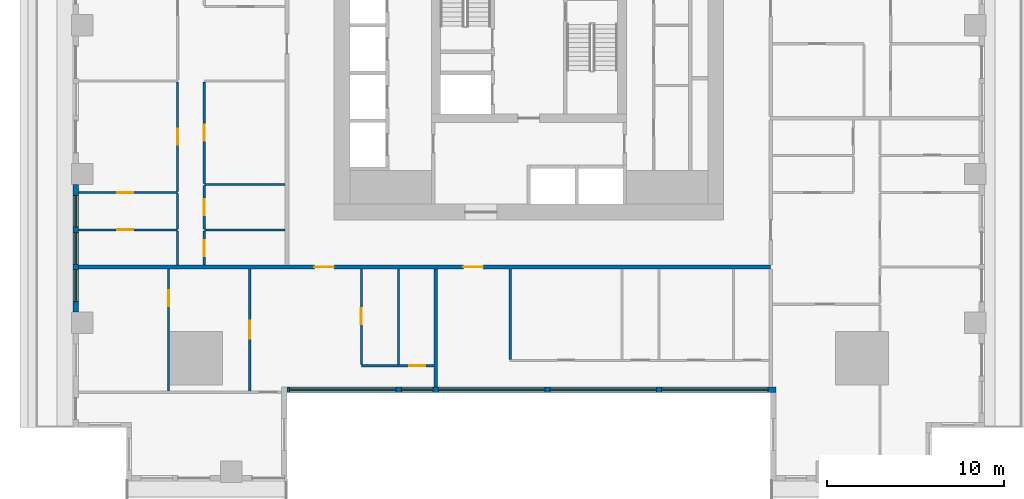
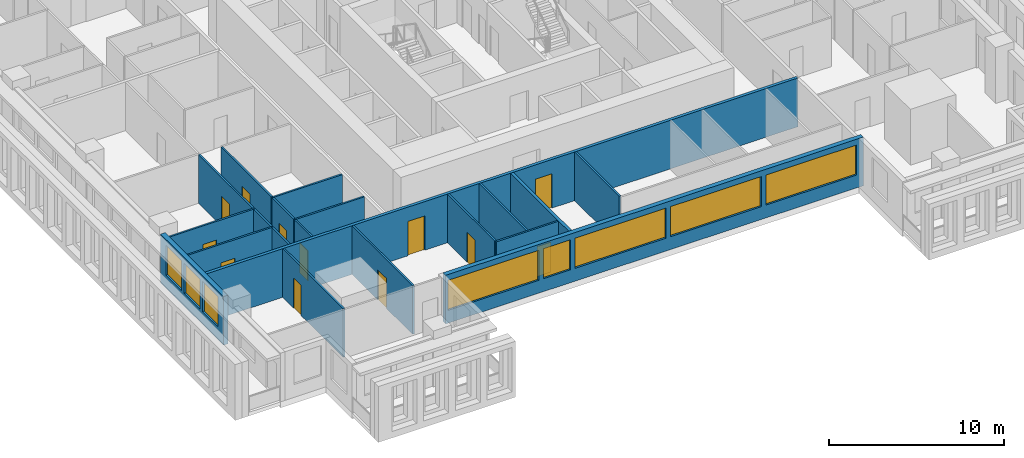
# One storey, part 2 of 14: 20 walls, 12 doors, 8 windows, 20 openings.
"""IFC4 building model written with IfcOpenShell, lengths in metres."""

from ifc_helpers import new_model, si_unit, direction, frame, frame_2d, origin, place, context, subcontext, project, spatial, rectangle, extrude, material, layer, layer_set, type_object, element, fill, save


model = new_model("IFC4")

# Units and contexts
model_context = context("Model", 3, precision=1e-05, world=origin(), true_north=direction((0.0, 1.0)))
body_context = subcontext(model_context, "Body", "Model", "MODEL_VIEW")
ifc_project = project(units=[si_unit("LENGTHUNIT", "METRE"), si_unit("AREAUNIT", "SQUARE_METRE"), si_unit("VOLUMEUNIT", "CUBIC_METRE"), si_unit("PLANEANGLEUNIT", "RADIAN"), si_unit("MASSUNIT", "GRAM", prefix="KILO")], contexts=[model_context])

# Site, building, storey
site_placement = place(None, origin())
site = spatial("IfcSite", under=ifc_project, at=site_placement, CompositionType="ELEMENT")
building_placement = place(site_placement, origin())
building = spatial("IfcBuilding", under=site, at=building_placement, Name="Khepri Terraces", CompositionType="ELEMENT")
storey_placement = place(building_placement, frame((0.0, 0.0, 69.89990234375)))
storey = spatial("IfcBuildingStorey", under=building, at=storey_placement, Name="L16", CompositionType="ELEMENT", Elevation=69.89990234375)

# Wall
ifc_material_1 = material(Name="Fire-rated gypsum plasterboard partition, mineral wool")
ifc_layer_1 = layer(ifc_material_1, 0.199951171875, Name="Fire-rated gypsum plasterboard partition, mineral wool")
ifc_layer_set_1 = layer_set([ifc_layer_1], Name="Fire-rated gypsum plasterboard partition, mineral wool")
wall_type_1 = type_object("IfcWallType", Name="WL-CORR-200", PredefinedType="PARTITIONING", material=ifc_layer_set_1)
wall_1_placement = place(storey_placement, frame((-5.25, -20.419921875, 0.0), z_axis=(0.0, 0.0, 1.0), x_axis=(0.0, 1.0, 0.0)))
element("IfcWall", 1, at=wall_1_placement, inside=storey, type_object=wall_type_1, Name="Partition P-003 L16", PredefinedType="PARTITIONING", context=body_context, shape_type="SweptSolid", body=[
    extrude(rectangle(XDim=6.669921875, YDim=0.199951171875, at=frame_2d((3.3349609375, 0.0))), origin(), (0.0, 0.0, 1.0), 3.400146484375),
])

# Wall, openings, doors
wall_2_placement = place(storey_placement, frame((-25.419921875, -13.64990234375, 0.0), z_axis=(0.0, 0.0, 1.0), x_axis=(1.0, 0.0, 0.0)))
wall_2 = element("IfcWall", 2, at=wall_2_placement, inside=storey, type_object=wall_type_1, Name="Partition P-018 L16", PredefinedType="PARTITIONING", context=body_context, shape_type="SweptSolid", body=[
    extrude(rectangle(XDim=39.06982421875, YDim=0.199951171875, at=frame_2d((19.534912109375, 0.0))), origin(), (0.0, 0.0, 1.0), 3.400146484375),
])
opening_1_placement = place(wall_2_placement, frame((13.320068359375, 0.0, 0.0)))
opening_1 = element("IfcOpeningElement", 3, at=opening_1_placement, cuts=wall_2, Name="Opening D1", PredefinedType="OPENING", context=body_context, shape_type="SweptSolid", body=[
    extrude(rectangle(XDim=1.10009765625, YDim=2.39990234375, at=frame_2d((0.550048828125, 1.199951171875))), frame((0.0, 0.10986328125, 0.0), z_axis=(0.0, -1.0, 0.0), x_axis=(1.0, 0.0, 0.0)), (0.0, 0.0, 1.0), 0.219970703125),
])
opening_2_placement = place(wall_2_placement, frame((21.719970703125, 0.0, 0.0)))
opening_2 = element("IfcOpeningElement", 4, at=opening_2_placement, cuts=wall_2, Name="Opening D1", PredefinedType="OPENING", context=body_context, shape_type="SweptSolid", body=[
    extrude(rectangle(XDim=1.10009765625, YDim=2.39990234375, at=frame_2d((0.550048828125, 1.199951171875))), frame((0.0, 0.10986328125, 0.0), z_axis=(0.0, -1.0, 0.0), x_axis=(1.0, 0.0, 0.0)), (0.0, 0.0, 1.0), 0.219970703125),
])
ifc_material_2 = material(Name="Solid-core timber door leaf, flat entrance door", Category="wood")
door_type_1 = type_object("IfcDoorType", Name="DR-ENT-1100", OperationType="NOTDEFINED", PredefinedType="DOOR", material=ifc_material_2)
door_1_placement = place(opening_1_placement, frame((1.10009765625, 0.0, 0.0), z_axis=(0.0, 0.0, 1.0), x_axis=(-1.0, 0.0, 0.0)))
door_1 = element("IfcDoor", 5, at=door_1_placement, inside=storey, type_object=door_type_1, Name="Flat A1 entrance door", OperationType="SINGLE_SWING_RIGHT", OverallHeight=2.39990234375, OverallWidth=1.10009765625, PredefinedType="DOOR", context=body_context, shape_type="SweptSolid", body=[
    extrude(rectangle(XDim=1.10009765625, YDim=2.39990234375, at=frame_2d((0.550048828125, 1.199951171875))), frame((0.0, 0.02490234375, 0.0), z_axis=(0.0, -1.0, 0.0), x_axis=(1.0, 0.0, 0.0)), (0.0, 0.0, 1.0), 0.050048828125),
])
fill(opening_1, door_1)
door_2_placement = place(opening_2_placement, frame((1.10009765625, 0.0, 0.0), z_axis=(0.0, 0.0, 1.0), x_axis=(-1.0, 0.0, 0.0)))
door_2 = element("IfcDoor", 6, at=door_2_placement, inside=storey, type_object=door_type_1, Name="Flat A2 entrance door", OperationType="SINGLE_SWING_LEFT", OverallHeight=2.39990234375, OverallWidth=1.10009765625, PredefinedType="DOOR", context=body_context, shape_type="SweptSolid", body=[
    extrude(rectangle(XDim=1.10009765625, YDim=2.39990234375, at=frame_2d((0.550048828125, 1.199951171875))), frame((0.0, 0.02490234375, 0.0), z_axis=(0.0, -1.0, 0.0), x_axis=(1.0, 0.0, 0.0)), (0.0, 0.0, 1.0), 0.050048828125),
])
fill(opening_2, door_2)

# Wall, openings, windows
ifc_material_3 = material(Name="Precast concrete C50/60 warm stone", Category="masonry")
ifc_layer_2 = layer(ifc_material_3, 0.300048828125, Name="Precast concrete C50/60 warm stone", Category="masonry")
ifc_layer_set_2 = layer_set([ifc_layer_2], Name="Precast concrete C50/60 warm stone")
wall_type_2 = type_object("IfcWallType", Name="WL-EXT-PRECAST-300", PredefinedType="STANDARD", material=ifc_layer_set_2)
wall_3_placement = place(storey_placement, frame((-25.570068359375, -9.0, 0.0), z_axis=(0.0, 0.0, 1.0), x_axis=(0.0, -1.0, 0.0)))
wall_3 = element("IfcWall", 7, at=wall_3_placement, inside=storey, type_object=wall_type_2, Name="External wall L16 W", PredefinedType="STANDARD", context=body_context, shape_type="SweptSolid", body=[
    extrude(rectangle(XDim=7.199951171875, YDim=0.300048828125, at=frame_2d((3.60009765625, 0.0))), origin(), (0.0, 0.0, 1.0), 3.400146484375),
])
opening_3_placement = place(wall_3_placement, frame((0.60009765625, 0.0, 0.89990234375)))
opening_3 = element("IfcOpeningElement", 8, at=opening_3_placement, cuts=wall_3, Name="Opening W1", PredefinedType="OPENING", context=body_context, shape_type="SweptSolid", body=[
    extrude(rectangle(XDim=1.800048828125, YDim=2.10009765625, at=frame_2d((0.89990234375, 1.050048828125))), frame((0.0, 0.16015625, 0.0), z_axis=(0.0, -1.0, 0.0), x_axis=(1.0, 0.0, 0.0)), (0.0, 0.0, 1.0), 0.320068359375),
])
opening_4_placement = place(wall_3_placement, frame((2.699951171875, 0.0, 0.89990234375)))
opening_4 = element("IfcOpeningElement", 9, at=opening_4_placement, cuts=wall_3, Name="Opening W1", PredefinedType="OPENING", context=body_context, shape_type="SweptSolid", body=[
    extrude(rectangle(XDim=1.800048828125, YDim=2.10009765625, at=frame_2d((0.89990234375, 1.050048828125))), frame((0.0, 0.16015625, 0.0), z_axis=(0.0, -1.0, 0.0), x_axis=(1.0, 0.0, 0.0)), (0.0, 0.0, 1.0), 0.320068359375),
])
opening_5_placement = place(wall_3_placement, frame((4.800048828125, 0.0, 0.89990234375)))
opening_5 = element("IfcOpeningElement", 10, at=opening_5_placement, cuts=wall_3, Name="Opening W1", PredefinedType="OPENING", context=body_context, shape_type="SweptSolid", body=[
    extrude(rectangle(XDim=1.800048828125, YDim=2.10009765625, at=frame_2d((0.89990234375, 1.050048828125))), frame((0.0, 0.16015625, 0.0), z_axis=(0.0, -1.0, 0.0), x_axis=(1.0, 0.0, 0.0)), (0.0, 0.0, 1.0), 0.320068359375),
])
ifc_material_4 = material(Name="Clear glass", Category="glass")
window_type_1 = type_object("IfcWindowType", Name="WIN-RES-1800x2100", PartitioningType="SINGLE_PANEL", PredefinedType="WINDOW", material=ifc_material_4)
window_1_placement = place(opening_3_placement, origin())
window_1 = element("IfcWindow", 11, at=window_1_placement, inside=storey, type_object=window_type_1, Name="Window L16 W", OverallHeight=2.10009765625, OverallWidth=1.800048828125, PartitioningType="SINGLE_PANEL", PredefinedType="WINDOW", context=body_context, shape_type="SweptSolid", body=[
    extrude(rectangle(XDim=1.800048828125, YDim=2.10009765625, at=frame_2d((0.89990234375, 1.050048828125))), frame((0.0, 0.030029296875, 0.0), z_axis=(0.0, -1.0, 0.0), x_axis=(1.0, 0.0, 0.0)), (0.0, 0.0, 1.0), 0.06005859375),
])
fill(opening_3, window_1)
window_2_placement = place(opening_4_placement, origin())
window_2 = element("IfcWindow", 12, at=window_2_placement, inside=storey, type_object=window_type_1, Name="Window L16 W", OverallHeight=2.10009765625, OverallWidth=1.800048828125, PartitioningType="SINGLE_PANEL", PredefinedType="WINDOW", context=body_context, shape_type="SweptSolid", body=[
    extrude(rectangle(XDim=1.800048828125, YDim=2.10009765625, at=frame_2d((0.89990234375, 1.050048828125))), frame((0.0, 0.030029296875, 0.0), z_axis=(0.0, -1.0, 0.0), x_axis=(1.0, 0.0, 0.0)), (0.0, 0.0, 1.0), 0.06005859375),
])
fill(opening_4, window_2)
window_3_placement = place(opening_5_placement, origin())
window_3 = element("IfcWindow", 13, at=window_3_placement, inside=storey, type_object=window_type_1, Name="Window L16 W", OverallHeight=2.10009765625, OverallWidth=1.800048828125, PartitioningType="SINGLE_PANEL", PredefinedType="WINDOW", context=body_context, shape_type="SweptSolid", body=[
    extrude(rectangle(XDim=1.800048828125, YDim=2.10009765625, at=frame_2d((0.89990234375, 1.050048828125))), frame((0.0, 0.030029296875, 0.0), z_axis=(0.0, -1.0, 0.0), x_axis=(1.0, 0.0, 0.0)), (0.0, 0.0, 1.0), 0.06005859375),
])
fill(opening_5, window_3)

wall_4_placement = place(storey_placement, frame((-13.64990234375, -20.570068359375, 0.0), z_axis=(0.0, 0.0, 1.0), x_axis=(1.0, 0.0, 0.0)))
wall_4 = element("IfcWall", 14, at=wall_4_placement, inside=storey, type_object=wall_type_2, Name="External wall L16 S", PredefinedType="STANDARD", context=body_context, shape_type="SweptSolid", body=[
    extrude(rectangle(XDim=27.599853515625, YDim=0.300048828125, at=frame_2d((13.7998046875, 0.0))), origin(), (0.0, 0.0, 1.0), 3.400146484375),
])
opening_6_placement = place(wall_4_placement, frame((0.14990234375, 0.0, 0.89990234375)))
opening_6 = element("IfcOpeningElement", 15, at=opening_6_placement, cuts=wall_4, Name="Opening W3", PredefinedType="OPENING", context=body_context, shape_type="SweptSolid", body=[
    extrude(rectangle(XDim=6.0, YDim=2.10009765625, at=frame_2d((3.0, 1.050048828125))), frame((0.0, 0.16015625, 0.0), z_axis=(0.0, -1.0, 0.0), x_axis=(1.0, 0.0, 0.0)), (0.0, 0.0, 1.0), 0.320068359375),
])
opening_7_placement = place(wall_4_placement, frame((6.449951171875, 0.0, 0.89990234375)))
opening_7 = element("IfcOpeningElement", 16, at=opening_7_placement, cuts=wall_4, Name="Opening W1", PredefinedType="OPENING", context=body_context, shape_type="SweptSolid", body=[
    extrude(rectangle(XDim=1.800048828125, YDim=2.10009765625, at=frame_2d((0.89990234375, 1.050048828125))), frame((0.0, 0.16015625, 0.0), z_axis=(0.0, -1.0, 0.0), x_axis=(1.0, 0.0, 0.0)), (0.0, 0.0, 1.0), 0.320068359375),
])
opening_8_placement = place(wall_4_placement, frame((8.550048828125, 0.0, 0.89990234375)))
opening_8 = element("IfcOpeningElement", 17, at=opening_8_placement, cuts=wall_4, Name="Opening W3", PredefinedType="OPENING", context=body_context, shape_type="SweptSolid", body=[
    extrude(rectangle(XDim=6.0, YDim=2.10009765625, at=frame_2d((3.0, 1.050048828125))), frame((0.0, 0.16015625, 0.0), z_axis=(0.0, -1.0, 0.0), x_axis=(1.0, 0.0, 0.0)), (0.0, 0.0, 1.0), 0.320068359375),
])
opening_9_placement = place(wall_4_placement, frame((14.85009765625, 0.0, 0.89990234375)))
opening_9 = element("IfcOpeningElement", 18, at=opening_9_placement, cuts=wall_4, Name="Opening W3", PredefinedType="OPENING", context=body_context, shape_type="SweptSolid", body=[
    extrude(rectangle(XDim=6.0, YDim=2.10009765625, at=frame_2d((3.0, 1.050048828125))), frame((0.0, 0.16015625, 0.0), z_axis=(0.0, -1.0, 0.0), x_axis=(1.0, 0.0, 0.0)), (0.0, 0.0, 1.0), 0.320068359375),
])
opening_10_placement = place(wall_4_placement, frame((21.14990234375, 0.0, 0.89990234375)))
opening_10 = element("IfcOpeningElement", 19, at=opening_10_placement, cuts=wall_4, Name="Opening W3", PredefinedType="OPENING", context=body_context, shape_type="SweptSolid", body=[
    extrude(rectangle(XDim=6.0, YDim=2.10009765625, at=frame_2d((3.0, 1.050048828125))), frame((0.0, 0.16015625, 0.0), z_axis=(0.0, -1.0, 0.0), x_axis=(1.0, 0.0, 0.0)), (0.0, 0.0, 1.0), 0.320068359375),
])
window_4_placement = place(opening_7_placement, origin())
window_4 = element("IfcWindow", 20, at=window_4_placement, inside=storey, type_object=window_type_1, Name="Window L16 S", OverallHeight=2.10009765625, OverallWidth=1.800048828125, PartitioningType="SINGLE_PANEL", PredefinedType="WINDOW", context=body_context, shape_type="SweptSolid", body=[
    extrude(rectangle(XDim=1.800048828125, YDim=2.10009765625, at=frame_2d((0.89990234375, 1.050048828125))), frame((0.0, 0.030029296875, 0.0), z_axis=(0.0, -1.0, 0.0), x_axis=(1.0, 0.0, 0.0)), (0.0, 0.0, 1.0), 0.06005859375),
])
fill(opening_7, window_4)
window_type_2 = type_object("IfcWindowType", Name="WIN-RES-6000x2100", PartitioningType="SINGLE_PANEL", PredefinedType="WINDOW", material=ifc_material_4)
window_5_placement = place(opening_6_placement, origin())
window_5 = element("IfcWindow", 21, at=window_5_placement, inside=storey, type_object=window_type_2, Name="Window L16 S", OverallHeight=2.10009765625, OverallWidth=6.0, PartitioningType="SINGLE_PANEL", PredefinedType="WINDOW", context=body_context, shape_type="SweptSolid", body=[
    extrude(rectangle(XDim=6.0, YDim=2.10009765625, at=frame_2d((3.0, 1.050048828125))), frame((0.0, 0.030029296875, 0.0), z_axis=(0.0, -1.0, 0.0), x_axis=(1.0, 0.0, 0.0)), (0.0, 0.0, 1.0), 0.06005859375),
])
fill(opening_6, window_5)
window_6_placement = place(opening_8_placement, origin())
window_6 = element("IfcWindow", 22, at=window_6_placement, inside=storey, type_object=window_type_2, Name="Window L16 S", OverallHeight=2.10009765625, OverallWidth=6.0, PartitioningType="SINGLE_PANEL", PredefinedType="WINDOW", context=body_context, shape_type="SweptSolid", body=[
    extrude(rectangle(XDim=6.0, YDim=2.10009765625, at=frame_2d((3.0, 1.050048828125))), frame((0.0, 0.030029296875, 0.0), z_axis=(0.0, -1.0, 0.0), x_axis=(1.0, 0.0, 0.0)), (0.0, 0.0, 1.0), 0.06005859375),
])
fill(opening_8, window_6)
window_7_placement = place(opening_9_placement, origin())
window_7 = element("IfcWindow", 23, at=window_7_placement, inside=storey, type_object=window_type_2, Name="Window L16 S", OverallHeight=2.10009765625, OverallWidth=6.0, PartitioningType="SINGLE_PANEL", PredefinedType="WINDOW", context=body_context, shape_type="SweptSolid", body=[
    extrude(rectangle(XDim=6.0, YDim=2.10009765625, at=frame_2d((3.0, 1.050048828125))), frame((0.0, 0.030029296875, 0.0), z_axis=(0.0, -1.0, 0.0), x_axis=(1.0, 0.0, 0.0)), (0.0, 0.0, 1.0), 0.06005859375),
])
fill(opening_9, window_7)
window_8_placement = place(opening_10_placement, origin())
window_8 = element("IfcWindow", 24, at=window_8_placement, inside=storey, type_object=window_type_2, Name="Window L16 S", OverallHeight=2.10009765625, OverallWidth=6.0, PartitioningType="SINGLE_PANEL", PredefinedType="WINDOW", context=body_context, shape_type="SweptSolid", body=[
    extrude(rectangle(XDim=6.0, YDim=2.10009765625, at=frame_2d((3.0, 1.050048828125))), frame((0.0, 0.030029296875, 0.0), z_axis=(0.0, -1.0, 0.0), x_axis=(1.0, 0.0, 0.0)), (0.0, 0.0, 1.0), 0.06005859375),
])
fill(opening_10, window_8)

# Wall, opening, door
ifc_material_5 = material(Name="Gypsum plasterboard partition")
ifc_layer_3 = layer(ifc_material_5, 0.1201171875, Name="Gypsum plasterboard partition")
ifc_layer_set_3 = layer_set([ifc_layer_3], Name="Gypsum plasterboard partition")
wall_type_3 = type_object("IfcWallType", Name="WL-PART-120", PredefinedType="PARTITIONING", material=ifc_layer_set_3)
wall_5_placement = place(storey_placement, frame((-20.333984375, -20.659912109375, 0.0), z_axis=(0.0, 0.0, 1.0), x_axis=(0.0, 1.0, 0.0)))
wall_5 = element("IfcWall", 25, at=wall_5_placement, inside=storey, type_object=wall_type_3, Name="Partition P-005 L16", PredefinedType="PARTITIONING", context=body_context, shape_type="SweptSolid", body=[
    extrude(rectangle(XDim=6.909912109375, YDim=0.1201171875, at=frame_2d((3.455078125, 0.0))), origin(), (0.0, 0.0, 1.0), 3.400146484375),
])
opening_11_placement = place(wall_5_placement, frame((4.79248046875, 0.0, 0.0)))
opening_11 = element("IfcOpeningElement", 26, at=opening_11_placement, cuts=wall_5, Name="Opening D3", PredefinedType="OPENING", context=body_context, shape_type="SweptSolid", body=[
    extrude(rectangle(XDim=0.89990234375, YDim=2.10009765625, at=frame_2d((0.449951171875, 1.050048828125))), frame((0.0, 0.070068359375, 0.0), z_axis=(0.0, -1.0, 0.0), x_axis=(1.0, 0.0, 0.0)), (0.0, 0.0, 1.0), 0.14013671875),
])
ifc_material_6 = material(Name="Timber door leaf", Category="wood")
door_type_2 = type_object("IfcDoorType", Name="DR-INT-900", OperationType="NOTDEFINED", PredefinedType="DOOR", material=ifc_material_6)
door_3_placement = place(opening_11_placement, origin())
door_3 = element("IfcDoor", 27, at=door_3_placement, inside=storey, type_object=door_type_2, Name="Door Staff Bedroom", OperationType="SINGLE_SWING_RIGHT", OverallHeight=2.10009765625, OverallWidth=0.89990234375, PredefinedType="DOOR", context=body_context, shape_type="SweptSolid", body=[
    extrude(rectangle(XDim=0.89990234375, YDim=2.10009765625, at=frame_2d((0.449951171875, 1.050048828125))), frame((0.0, 0.02490234375, 0.0), z_axis=(0.0, -1.0, 0.0), x_axis=(1.0, 0.0, 0.0)), (0.0, 0.0, 1.0), 0.050048828125),
])
fill(opening_11, door_3)

wall_6_placement = place(storey_placement, frame((-15.75, -20.659912109375, 0.0), z_axis=(0.0, 0.0, 1.0), x_axis=(0.0, 1.0, 0.0)))
wall_6 = element("IfcWall", 28, at=wall_6_placement, inside=storey, type_object=wall_type_3, Name="Partition P-006 L16", PredefinedType="PARTITIONING", context=body_context, shape_type="SweptSolid", body=[
    extrude(rectangle(XDim=6.909912109375, YDim=0.1201171875, at=frame_2d((3.455078125, 0.0))), origin(), (0.0, 0.0, 1.0), 3.400146484375),
])
opening_12_placement = place(wall_6_placement, frame((2.97509765625, 0.0, 0.0)))
opening_12 = element("IfcOpeningElement", 29, at=opening_12_placement, cuts=wall_6, Name="Opening D2", PredefinedType="OPENING", context=body_context, shape_type="SweptSolid", body=[
    extrude(rectangle(XDim=1.0, YDim=2.10009765625, at=frame_2d((0.5, 1.050048828125))), frame((0.0, 0.070068359375, 0.0), z_axis=(0.0, -1.0, 0.0), x_axis=(1.0, 0.0, 0.0)), (0.0, 0.0, 1.0), 0.14013671875),
])
ifc_material_7 = material(Name="Timber door leaf, living room door", Category="wood")
door_type_3 = type_object("IfcDoorType", Name="DR-INT-1000", OperationType="NOTDEFINED", PredefinedType="DOOR", material=ifc_material_7)
door_4_placement = place(opening_12_placement, origin())
door_4 = element("IfcDoor", 30, at=door_4_placement, inside=storey, type_object=door_type_3, Name="Door Family Room", OperationType="SINGLE_SWING_RIGHT", OverallHeight=2.10009765625, OverallWidth=1.0, PredefinedType="DOOR", context=body_context, shape_type="SweptSolid", body=[
    extrude(rectangle(XDim=1.0, YDim=2.10009765625, at=frame_2d((0.5, 1.050048828125))), frame((0.0, 0.02490234375, 0.0), z_axis=(0.0, -1.0, 0.0), x_axis=(1.0, 0.0, 0.0)), (0.0, 0.0, 1.0), 0.050048828125),
])
fill(opening_12, door_4)

wall_7_placement = place(storey_placement, frame((-9.449951171875, -19.219970703125, 0.0), z_axis=(0.0, 0.0, 1.0), x_axis=(1.0, 0.0, 0.0)))
wall_7 = element("IfcWall", 31, at=wall_7_placement, inside=storey, type_object=wall_type_3, Name="Partition P-007 L16", PredefinedType="PARTITIONING", context=body_context, shape_type="SweptSolid", body=[
    extrude(rectangle(XDim=4.099853515625, YDim=0.1201171875, at=frame_2d((2.0498046875, 0.0))), origin(), (0.0, 0.0, 1.0), 3.400146484375),
])
opening_13_placement = place(wall_7_placement, frame((2.699951171875, 0.0, 0.0)))
opening_13 = element("IfcOpeningElement", 32, at=opening_13_placement, cuts=wall_7, Name="Opening D3", PredefinedType="OPENING", context=body_context, shape_type="SweptSolid", body=[
    extrude(rectangle(XDim=0.89990234375, YDim=2.10009765625, at=frame_2d((0.449951171875, 1.050048828125))), frame((0.0, 0.070068359375, 0.0), z_axis=(0.0, -1.0, 0.0), x_axis=(1.0, 0.0, 0.0)), (0.0, 0.0, 1.0), 0.14013671875),
])
door_5_placement = place(opening_13_placement, origin())
door_5 = element("IfcDoor", 33, at=door_5_placement, inside=storey, type_object=door_type_2, Name="Door Kitchen", OperationType="SINGLE_SWING_RIGHT", OverallHeight=2.10009765625, OverallWidth=0.89990234375, PredefinedType="DOOR", context=body_context, shape_type="SweptSolid", body=[
    extrude(rectangle(XDim=0.89990234375, YDim=2.10009765625, at=frame_2d((0.449951171875, 1.050048828125))), frame((0.0, 0.02490234375, 0.0), z_axis=(0.0, -1.0, 0.0), x_axis=(1.0, 0.0, 0.0)), (0.0, 0.0, 1.0), 0.050048828125),
])
fill(opening_13, door_5)

wall_8_placement = place(storey_placement, frame((-9.449951171875, -19.159912109375, 0.0), z_axis=(0.0, 0.0, 1.0), x_axis=(0.0, 1.0, 0.0)))
wall_8 = element("IfcWall", 34, at=wall_8_placement, inside=storey, type_object=wall_type_3, Name="Partition P-008 L16", PredefinedType="PARTITIONING", context=body_context, shape_type="SweptSolid", body=[
    extrude(rectangle(XDim=5.409912109375, YDim=0.1201171875, at=frame_2d((2.705078125, 0.0))), origin(), (0.0, 0.0, 1.0), 3.400146484375),
])
opening_14_placement = place(wall_8_placement, frame((2.27490234375, 0.0, 0.0)))
opening_14 = element("IfcOpeningElement", 35, at=opening_14_placement, cuts=wall_8, Name="Opening D4", PredefinedType="OPENING", context=body_context, shape_type="SweptSolid", body=[
    extrude(rectangle(XDim=0.89990234375, YDim=2.10009765625, at=frame_2d((0.449951171875, 1.050048828125))), frame((0.0, 0.070068359375, 0.0), z_axis=(0.0, -1.0, 0.0), x_axis=(1.0, 0.0, 0.0)), (0.0, 0.0, 1.0), 0.14013671875),
])
ifc_material_8 = material(Name="Timber door leaf, moisture resistant", Category="wood")
door_type_4 = type_object("IfcDoorType", Name="DR-WET-900", OperationType="NOTDEFINED", PredefinedType="DOOR", material=ifc_material_8)
door_6_placement = place(opening_14_placement, frame((0.89990234375, 0.0, 0.0), z_axis=(0.0, 0.0, 1.0), x_axis=(-1.0, 0.0, 0.0)))
door_6 = element("IfcDoor", 36, at=door_6_placement, inside=storey, type_object=door_type_4, Name="Door Guest Bathroom", OperationType="SINGLE_SWING_LEFT", OverallHeight=2.10009765625, OverallWidth=0.89990234375, PredefinedType="DOOR", context=body_context, shape_type="SweptSolid", body=[
    extrude(rectangle(XDim=0.89990234375, YDim=2.10009765625, at=frame_2d((0.449951171875, 1.050048828125))), frame((0.0, 0.02490234375, 0.0), z_axis=(0.0, -1.0, 0.0), x_axis=(1.0, 0.0, 0.0)), (0.0, 0.0, 1.0), 0.050048828125),
])
fill(opening_14, door_6)

# Walls
wall_9_placement = place(storey_placement, frame((-7.35009765625, -19.159912109375, 0.0), z_axis=(0.0, 0.0, 1.0), x_axis=(0.0, 1.0, 0.0)))
element("IfcWall", 37, at=wall_9_placement, inside=storey, type_object=wall_type_3, Name="Partition P-009 L16", PredefinedType="PARTITIONING", context=body_context, shape_type="SweptSolid", body=[
    extrude(rectangle(XDim=5.409912109375, YDim=0.1201171875, at=frame_2d((2.705078125, 0.0))), origin(), (0.0, 0.0, 1.0), 3.400146484375),
])
wall_10_placement = place(storey_placement, frame((-1.050048828125, -18.860107421875, 0.0), z_axis=(0.0, 0.0, 1.0), x_axis=(0.0, 1.0, 0.0)))
element("IfcWall", 38, at=wall_10_placement, inside=storey, type_object=wall_type_3, Name="Partition P-011 L16", PredefinedType="PARTITIONING", context=body_context, shape_type="SweptSolid", body=[
    extrude(rectangle(XDim=5.110107421875, YDim=0.1201171875, at=frame_2d((2.55517578125, 0.0))), origin(), (0.0, 0.0, 1.0), 3.400146484375),
])
wall_11_placement = place(storey_placement, frame((-19.820068359375, -13.550048828125, 0.0), z_axis=(0.0, 0.0, 1.0), x_axis=(0.0, 1.0, 0.0)))
element("IfcWall", 39, at=wall_11_placement, inside=storey, type_object=wall_type_3, Name="Partition P-021 L16", PredefinedType="PARTITIONING", context=body_context, shape_type="SweptSolid", body=[
    extrude(rectangle(XDim=1.93994140625, YDim=0.1201171875, at=frame_2d((0.969970703125, 0.0))), origin(), (0.0, 0.0, 1.0), 3.400146484375),
])

# Wall, opening, door
wall_12_placement = place(storey_placement, frame((-18.320068359375, -13.550048828125, 0.0), z_axis=(0.0, 0.0, 1.0), x_axis=(0.0, 1.0, 0.0)))
wall_12 = element("IfcWall", 40, at=wall_12_placement, inside=storey, type_object=wall_type_3, Name="Partition P-022 L16", PredefinedType="PARTITIONING", context=body_context, shape_type="SweptSolid", body=[
    extrude(rectangle(XDim=1.93994140625, YDim=0.1201171875, at=frame_2d((0.969970703125, 0.0))), origin(), (0.0, 0.0, 1.0), 3.400146484375),
])
opening_15_placement = place(wall_12_placement, frame((0.5, 0.0, 0.0)))
opening_15 = element("IfcOpeningElement", 41, at=opening_15_placement, cuts=wall_12, Name="Opening D3", PredefinedType="OPENING", context=body_context, shape_type="SweptSolid", body=[
    extrude(rectangle(XDim=0.89990234375, YDim=2.10009765625, at=frame_2d((0.449951171875, 1.050048828125))), frame((0.0, 0.070068359375, 0.0), z_axis=(0.0, -1.0, 0.0), x_axis=(1.0, 0.0, 0.0)), (0.0, 0.0, 1.0), 0.14013671875),
])
door_7_placement = place(opening_15_placement, frame((0.89990234375, 0.0, 0.0), z_axis=(0.0, 0.0, 1.0), x_axis=(-1.0, 0.0, 0.0)))
door_7 = element("IfcDoor", 42, at=door_7_placement, inside=storey, type_object=door_type_2, Name="Door Utility Room", OperationType="SINGLE_SWING_RIGHT", OverallHeight=2.10009765625, OverallWidth=0.89990234375, PredefinedType="DOOR", context=body_context, shape_type="SweptSolid", body=[
    extrude(rectangle(XDim=0.89990234375, YDim=2.10009765625, at=frame_2d((0.449951171875, 1.050048828125))), frame((0.0, 0.02490234375, 0.0), z_axis=(0.0, -1.0, 0.0), x_axis=(1.0, 0.0, 0.0)), (0.0, 0.0, 1.0), 0.050048828125),
])
fill(opening_15, door_7)

wall_13_placement = place(storey_placement, frame((-25.419921875, -11.550048828125, 0.0), z_axis=(0.0, 0.0, 1.0), x_axis=(1.0, 0.0, 0.0)))
wall_13 = element("IfcWall", 43, at=wall_13_placement, inside=storey, type_object=wall_type_3, Name="Partition P-025 L16", PredefinedType="PARTITIONING", context=body_context, shape_type="SweptSolid", body=[
    extrude(rectangle(XDim=5.599853515625, YDim=0.1201171875, at=frame_2d((2.7998046875, 0.0))), origin(), (0.0, 0.0, 1.0), 3.400146484375),
])
opening_16_placement = place(wall_13_placement, frame((2.199951171875, 0.0, 0.0)))
opening_16 = element("IfcOpeningElement", 44, at=opening_16_placement, cuts=wall_13, Name="Opening D4", PredefinedType="OPENING", context=body_context, shape_type="SweptSolid", body=[
    extrude(rectangle(XDim=0.89990234375, YDim=2.10009765625, at=frame_2d((0.449951171875, 1.050048828125))), frame((0.0, 0.070068359375, 0.0), z_axis=(0.0, -1.0, 0.0), x_axis=(1.0, 0.0, 0.0)), (0.0, 0.0, 1.0), 0.14013671875),
])
door_8_placement = place(opening_16_placement, frame((0.89990234375, 0.0, 0.0), z_axis=(0.0, 0.0, 1.0), x_axis=(-1.0, 0.0, 0.0)))
door_8 = element("IfcDoor", 45, at=door_8_placement, inside=storey, type_object=door_type_4, Name="Door Bathroom", OperationType="SINGLE_SWING_RIGHT", OverallHeight=2.10009765625, OverallWidth=0.89990234375, PredefinedType="DOOR", context=body_context, shape_type="SweptSolid", body=[
    extrude(rectangle(XDim=0.89990234375, YDim=2.10009765625, at=frame_2d((0.449951171875, 1.050048828125))), frame((0.0, 0.02490234375, 0.0), z_axis=(0.0, -1.0, 0.0), x_axis=(1.0, 0.0, 0.0)), (0.0, 0.0, 1.0), 0.050048828125),
])
fill(opening_16, door_8)

# Walls
wall_14_placement = place(storey_placement, frame((-18.320068359375, -11.550048828125, 0.0), z_axis=(0.0, 0.0, 1.0), x_axis=(1.0, 0.0, 0.0)))
element("IfcWall", 46, at=wall_14_placement, inside=storey, type_object=wall_type_3, Name="Partition P-026 L16", PredefinedType="PARTITIONING", context=body_context, shape_type="SweptSolid", body=[
    extrude(rectangle(XDim=4.570068359375, YDim=0.1201171875, at=frame_2d((2.28515625, 0.0))), origin(), (0.0, 0.0, 1.0), 3.400146484375),
])
wall_15_placement = place(storey_placement, frame((-19.820068359375, -11.489990234375, 0.0), z_axis=(0.0, 0.0, 1.0), x_axis=(0.0, 1.0, 0.0)))
element("IfcWall", 47, at=wall_15_placement, inside=storey, type_object=wall_type_3, Name="Partition P-027 L16", PredefinedType="PARTITIONING", context=body_context, shape_type="SweptSolid", body=[
    extrude(rectangle(XDim=1.97998046875, YDim=0.1201171875, at=frame_2d((0.989990234375, 0.0))), origin(), (0.0, 0.0, 1.0), 3.400146484375),
])

# Wall, opening, door
wall_16_placement = place(storey_placement, frame((-18.320068359375, -11.489990234375, 0.0), z_axis=(0.0, 0.0, 1.0), x_axis=(0.0, 1.0, 0.0)))
wall_16 = element("IfcWall", 48, at=wall_16_placement, inside=storey, type_object=wall_type_3, Name="Partition P-028 L16", PredefinedType="PARTITIONING", context=body_context, shape_type="SweptSolid", body=[
    extrude(rectangle(XDim=2.429931640625, YDim=0.1201171875, at=frame_2d((1.21484375, 0.0))), origin(), (0.0, 0.0, 1.0), 3.400146484375),
])
opening_17_placement = place(wall_16_placement, frame((0.764892578125, 0.0, 0.0)))
opening_17 = element("IfcOpeningElement", 49, at=opening_17_placement, cuts=wall_16, Name="Opening D4", PredefinedType="OPENING", context=body_context, shape_type="SweptSolid", body=[
    extrude(rectangle(XDim=0.89990234375, YDim=2.10009765625, at=frame_2d((0.449951171875, 1.050048828125))), frame((0.0, 0.070068359375, 0.0), z_axis=(0.0, -1.0, 0.0), x_axis=(1.0, 0.0, 0.0)), (0.0, 0.0, 1.0), 0.14013671875),
])
door_9_placement = place(opening_17_placement, frame((0.89990234375, 0.0, 0.0), z_axis=(0.0, 0.0, 1.0), x_axis=(-1.0, 0.0, 0.0)))
door_9 = element("IfcDoor", 50, at=door_9_placement, inside=storey, type_object=door_type_4, Name="Door Guest Bathroom", OperationType="SINGLE_SWING_LEFT", OverallHeight=2.10009765625, OverallWidth=0.89990234375, PredefinedType="DOOR", context=body_context, shape_type="SweptSolid", body=[
    extrude(rectangle(XDim=0.89990234375, YDim=2.10009765625, at=frame_2d((0.449951171875, 1.050048828125))), frame((0.0, 0.02490234375, 0.0), z_axis=(0.0, -1.0, 0.0), x_axis=(1.0, 0.0, 0.0)), (0.0, 0.0, 1.0), 0.050048828125),
])
fill(opening_17, door_9)

wall_17_placement = place(storey_placement, frame((-25.419921875, -9.449951171875, 0.0), z_axis=(0.0, 0.0, 1.0), x_axis=(1.0, 0.0, 0.0)))
wall_17 = element("IfcWall", 51, at=wall_17_placement, inside=storey, type_object=wall_type_3, Name="Partition P-029 L16", PredefinedType="PARTITIONING", context=body_context, shape_type="SweptSolid", body=[
    extrude(rectangle(XDim=5.599853515625, YDim=0.1201171875, at=frame_2d((2.7998046875, 0.0))), origin(), (0.0, 0.0, 1.0), 3.400146484375),
])
opening_18_placement = place(wall_17_placement, frame((2.199951171875, 0.0, 0.0)))
opening_18 = element("IfcOpeningElement", 52, at=opening_18_placement, cuts=wall_17, Name="Opening D3", PredefinedType="OPENING", context=body_context, shape_type="SweptSolid", body=[
    extrude(rectangle(XDim=0.89990234375, YDim=2.10009765625, at=frame_2d((0.449951171875, 1.050048828125))), frame((0.0, 0.070068359375, 0.0), z_axis=(0.0, -1.0, 0.0), x_axis=(1.0, 0.0, 0.0)), (0.0, 0.0, 1.0), 0.14013671875),
])
door_10_placement = place(opening_18_placement, frame((0.89990234375, 0.0, 0.0), z_axis=(0.0, 0.0, 1.0), x_axis=(-1.0, 0.0, 0.0)))
door_10 = element("IfcDoor", 53, at=door_10_placement, inside=storey, type_object=door_type_2, Name="Door Dressing Room", OperationType="SINGLE_SWING_RIGHT", OverallHeight=2.10009765625, OverallWidth=0.89990234375, PredefinedType="DOOR", context=body_context, shape_type="SweptSolid", body=[
    extrude(rectangle(XDim=0.89990234375, YDim=2.10009765625, at=frame_2d((0.449951171875, 1.050048828125))), frame((0.0, 0.02490234375, 0.0), z_axis=(0.0, -1.0, 0.0), x_axis=(1.0, 0.0, 0.0)), (0.0, 0.0, 1.0), 0.050048828125),
])
fill(opening_18, door_10)

wall_18_placement = place(storey_placement, frame((-19.820068359375, -9.389892578125, 0.0), z_axis=(0.0, 0.0, 1.0), x_axis=(0.0, 1.0, 0.0)))
wall_18 = element("IfcWall", 54, at=wall_18_placement, inside=storey, type_object=wall_type_3, Name="Partition P-032 L16", PredefinedType="PARTITIONING", context=body_context, shape_type="SweptSolid", body=[
    extrude(rectangle(XDim=6.179931640625, YDim=0.1201171875, at=frame_2d((3.08984375, 0.0))), origin(), (0.0, 0.0, 1.0), 3.400146484375),
])
opening_19_placement = place(wall_18_placement, frame((2.639892578125, 0.0, 0.0)))
opening_19 = element("IfcOpeningElement", 55, at=opening_19_placement, cuts=wall_18, Name="Opening D3", PredefinedType="OPENING", context=body_context, shape_type="SweptSolid", body=[
    extrude(rectangle(XDim=0.89990234375, YDim=2.10009765625, at=frame_2d((0.449951171875, 1.050048828125))), frame((0.0, 0.070068359375, 0.0), z_axis=(0.0, -1.0, 0.0), x_axis=(1.0, 0.0, 0.0)), (0.0, 0.0, 1.0), 0.14013671875),
])
door_11_placement = place(opening_19_placement, origin())
door_11 = element("IfcDoor", 56, at=door_11_placement, inside=storey, type_object=door_type_2, Name="Door Master Bedroom", OperationType="SINGLE_SWING_RIGHT", OverallHeight=2.10009765625, OverallWidth=0.89990234375, PredefinedType="DOOR", context=body_context, shape_type="SweptSolid", body=[
    extrude(rectangle(XDim=0.89990234375, YDim=2.10009765625, at=frame_2d((0.449951171875, 1.050048828125))), frame((0.0, 0.02490234375, 0.0), z_axis=(0.0, -1.0, 0.0), x_axis=(1.0, 0.0, 0.0)), (0.0, 0.0, 1.0), 0.050048828125),
])
fill(opening_19, door_11)

# Wall
wall_19_placement = place(storey_placement, frame((-18.320068359375, -9.0, 0.0), z_axis=(0.0, 0.0, 1.0), x_axis=(1.0, 0.0, 0.0)))
element("IfcWall", 57, at=wall_19_placement, inside=storey, type_object=wall_type_3, Name="Partition P-035 L16", PredefinedType="PARTITIONING", context=body_context, shape_type="SweptSolid", body=[
    extrude(rectangle(XDim=4.570068359375, YDim=0.1201171875, at=frame_2d((2.28515625, 0.0))), origin(), (0.0, 0.0, 1.0), 3.400146484375),
])

# Wall, opening, door
wall_20_placement = place(storey_placement, frame((-18.320068359375, -8.93994140625, 0.0), z_axis=(0.0, 0.0, 1.0), x_axis=(0.0, 1.0, 0.0)))
wall_20 = element("IfcWall", 58, at=wall_20_placement, inside=storey, type_object=wall_type_3, Name="Partition P-036 L16", PredefinedType="PARTITIONING", context=body_context, shape_type="SweptSolid", body=[
    extrude(rectangle(XDim=5.72998046875, YDim=0.1201171875, at=frame_2d((2.864990234375, 0.0))), origin(), (0.0, 0.0, 1.0), 3.400146484375),
])
opening_20_placement = place(wall_20_placement, frame((2.4150390625, 0.0, 0.0)))
opening_20 = element("IfcOpeningElement", 59, at=opening_20_placement, cuts=wall_20, Name="Opening D3", PredefinedType="OPENING", context=body_context, shape_type="SweptSolid", body=[
    extrude(rectangle(XDim=0.89990234375, YDim=2.10009765625, at=frame_2d((0.449951171875, 1.050048828125))), frame((0.0, 0.070068359375, 0.0), z_axis=(0.0, -1.0, 0.0), x_axis=(1.0, 0.0, 0.0)), (0.0, 0.0, 1.0), 0.14013671875),
])
door_12_placement = place(opening_20_placement, frame((0.89990234375, 0.0, 0.0), z_axis=(0.0, 0.0, 1.0), x_axis=(-1.0, 0.0, 0.0)))
door_12 = element("IfcDoor", 60, at=door_12_placement, inside=storey, type_object=door_type_2, Name="Door Kitchen", OperationType="SINGLE_SWING_RIGHT", OverallHeight=2.10009765625, OverallWidth=0.89990234375, PredefinedType="DOOR", context=body_context, shape_type="SweptSolid", body=[
    extrude(rectangle(XDim=0.89990234375, YDim=2.10009765625, at=frame_2d((0.449951171875, 1.050048828125))), frame((0.0, 0.02490234375, 0.0), z_axis=(0.0, -1.0, 0.0), x_axis=(1.0, 0.0, 0.0)), (0.0, 0.0, 1.0), 0.050048828125),
])
fill(opening_20, door_12)

save(model, "model.ifc")
